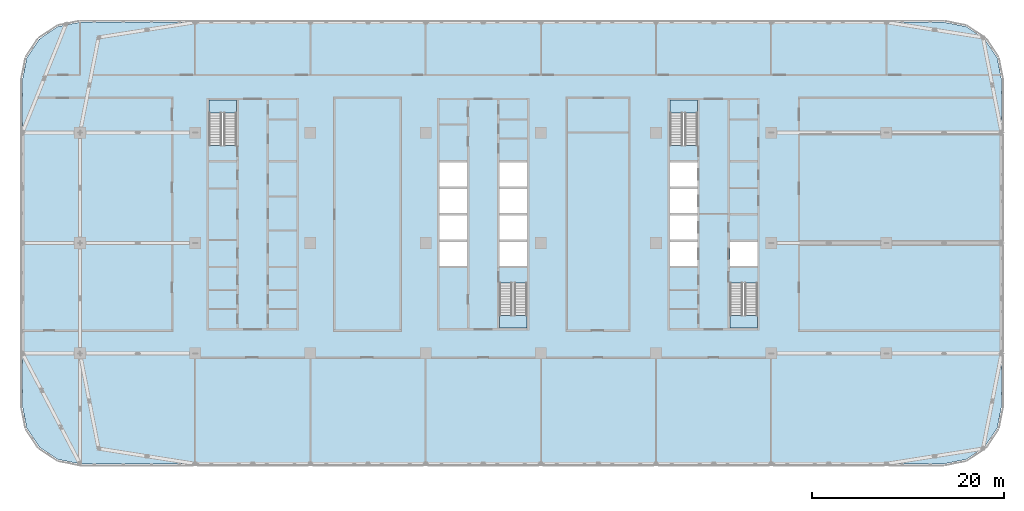
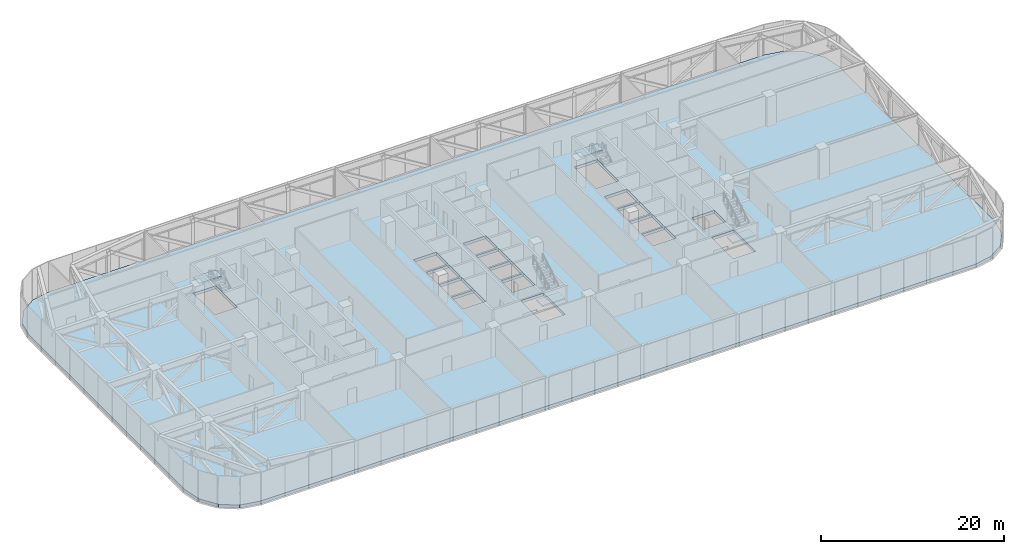
# One storey, part 8 of 26: 5 slabs, 4 elements without a shape of their own.
"""IFC4 building model written with IfcOpenShell, lengths in metres."""

from ifc_helpers import new_model, si_unit, direction, frame, origin, place, context, subcontext, project, spatial, polyline, outline, extrude, material, layer, layer_set, type_object, element, aggregate, save


model = new_model("IFC4")

# Units and contexts
model_context = context("Model", 3, precision=1e-05, world=origin(), true_north=direction((0.0, 1.0)))
body_context = subcontext(model_context, "Body", "Model", "MODEL_VIEW")
ifc_project = project(units=[si_unit("LENGTHUNIT", "METRE"), si_unit("AREAUNIT", "SQUARE_METRE"), si_unit("VOLUMEUNIT", "CUBIC_METRE"), si_unit("PLANEANGLEUNIT", "RADIAN"), si_unit("MASSUNIT", "GRAM", prefix="KILO")], contexts=[model_context])

# Site, building, storey
site_placement = place(None, origin())
site = spatial("IfcSite", under=ifc_project, at=site_placement, CompositionType="ELEMENT")
building_placement = place(site_placement, origin())
building = spatial("IfcBuilding", under=site, at=building_placement, Name="Mahtab Terrace Research Tower", CompositionType="ELEMENT")
storey_placement = place(building_placement, frame((0.0, 0.0, 189.60009765625)))
storey = spatial("IfcBuildingStorey", under=building, at=storey_placement, Name="L45", CompositionType="ELEMENT", Elevation=189.60009765625)

# Stair, slab
ifc_material_1 = material(Name="Exit stair half-turn")
stair_type = type_object("IfcStairType", Name="Exit stair half-turn", PredefinedType="HALF_TURN_STAIR", material=ifc_material_1)
stair_1_placement = place(storey_placement, origin())
stair_1 = element("IfcStair", 1, at=stair_1_placement, inside=storey, type_object=stair_type, Name="L45 Protected exit stair ST1", PredefinedType="HALF_TURN_STAIR")
ifc_material_2 = material(Name="Concrete C40/50", Category="concrete")
ifc_layer_1 = layer(ifc_material_2, 0.199951171875)
ifc_layer_set_1 = layer_set([ifc_layer_1], Name="Exit stair landing 200")
slab_type_1 = type_object("IfcSlabType", Name="Exit stair landing 200", PredefinedType="LANDING", material=ifc_layer_set_1)
slab_1_placement = place(storey_placement, frame((0.0, 0.0, 1.949951171875)))
slab_1 = element("IfcSlab", 2, at=slab_1_placement, type_object=slab_type_1, Name="ST1 landing 1", PredefinedType="LANDING", context=body_context, shape_type="SweptSolid", body=[
    extrude(outline(polyline([(-25.699951171875, 13.534912109375), (-25.699951171875, 14.875), (-28.550048828125, 14.875), (-28.550048828125, 13.534912109375), (-25.699951171875, 13.534912109375)])), origin(), (0.0, 0.0, 1.0), 0.199951171875),
])
aggregate(stair_1, [slab_1])

stair_2_placement = place(storey_placement, origin())
stair_2 = element("IfcStair", 3, at=stair_2_placement, inside=storey, type_object=stair_type, Name="L45 Protected exit stair ST2", PredefinedType="HALF_TURN_STAIR")
slab_2_placement = place(storey_placement, frame((0.0, 0.0, 1.949951171875)))
slab_2 = element("IfcSlab", 4, at=slab_2_placement, type_object=slab_type_1, Name="ST2 landing 1", PredefinedType="LANDING", context=body_context, shape_type="SweptSolid", body=[
    extrude(outline(polyline([(1.699951171875, -7.534912109375), (1.699951171875, -8.875), (4.550048828125, -8.875), (4.550048828125, -7.534912109375), (1.699951171875, -7.534912109375)])), origin(), (0.0, 0.0, 1.0), 0.199951171875),
])
aggregate(stair_2, [slab_2])

stair_3_placement = place(storey_placement, origin())
stair_3 = element("IfcStair", 5, at=stair_3_placement, inside=storey, type_object=stair_type, Name="L45 Protected exit stair ST3", PredefinedType="HALF_TURN_STAIR")
slab_3_placement = place(storey_placement, frame((0.0, 0.0, 1.949951171875)))
slab_3 = element("IfcSlab", 6, at=slab_3_placement, type_object=slab_type_1, Name="ST3 landing 1", PredefinedType="LANDING", context=body_context, shape_type="SweptSolid", body=[
    extrude(outline(polyline([(22.300048828125, 13.534912109375), (22.300048828125, 14.875), (19.449951171875, 14.875), (19.449951171875, 13.534912109375), (22.300048828125, 13.534912109375)])), origin(), (0.0, 0.0, 1.0), 0.199951171875),
])
aggregate(stair_3, [slab_3])

stair_4_placement = place(storey_placement, origin())
stair_4 = element("IfcStair", 7, at=stair_4_placement, inside=storey, type_object=stair_type, Name="L45 Protected exit stair ST4", PredefinedType="HALF_TURN_STAIR")
slab_4_placement = place(storey_placement, frame((0.0, 0.0, 1.949951171875)))
slab_4 = element("IfcSlab", 8, at=slab_4_placement, type_object=slab_type_1, Name="ST4 landing 1", PredefinedType="LANDING", context=body_context, shape_type="SweptSolid", body=[
    extrude(outline(polyline([(25.699951171875, -7.534912109375), (25.699951171875, -8.875), (28.550048828125, -8.875), (28.550048828125, -7.534912109375), (25.699951171875, -7.534912109375)])), origin(), (0.0, 0.0, 1.0), 0.199951171875),
])
aggregate(stair_4, [slab_4])

# Slab
ifc_layer_2 = layer(ifc_material_2, 0.39990234375)
ifc_layer_set_2 = layer_set([ifc_layer_2], Name="PT transfer slab 400")
slab_type_2 = type_object("IfcSlabType", Name="PT transfer slab 400", PredefinedType="FLOOR", material=ifc_layer_set_2)
slab_5_placement = place(storey_placement, frame((0.0, 0.0, -0.400146484375)))
element("IfcSlab", 9, at=slab_5_placement, inside=storey, type_object=slab_type_2, Name="Floor slab L45", PredefinedType="FLOOR", context=body_context, shape_type="SweptSolid", body=[
    extrude(outline(polyline([(42.0, -23.0), (48.0, -23.0), (50.2958984375, -22.54296875), (52.242919921875, -21.242919921875), (53.54296875, -19.2958984375), (54.0, -17.0), (54.0, 17.0), (53.54296875, 19.2958984375), (52.242919921875, 21.242919921875), (50.2958984375, 22.54296875), (48.0, 23.0), (42.0, 23.0), (-36.0, 23.0), (-42.0, 23.0), (-44.2958984375, 22.54296875), (-46.242919921875, 21.242919921875), (-47.54296875, 19.2958984375), (-48.0, 17.0), (-48.0, -17.0), (-47.54296875, -19.2958984375), (-46.242919921875, -21.242919921875), (-44.2958984375, -22.54296875), (-42.0, -23.0), (-36.0, -23.0), (42.0, -23.0)]), holes=[polyline([(-4.550048828125, -2.375), (-4.550048828125, 0.125), (-1.699951171875, 0.125), (-1.699951171875, -2.375), (-4.550048828125, -2.375)]), polyline([(1.699951171875, -2.375), (1.699951171875, 0.125), (4.550048828125, 0.125), (4.550048828125, -2.375), (1.699951171875, -2.375)]), polyline([(-4.550048828125, 0.375), (-4.550048828125, 2.875), (-1.699951171875, 2.875), (-1.699951171875, 0.375), (-4.550048828125, 0.375)]), polyline([(1.699951171875, 0.375), (1.699951171875, 2.875), (4.550048828125, 2.875), (4.550048828125, 0.375), (1.699951171875, 0.375)]), polyline([(-4.550048828125, 3.125), (-4.550048828125, 5.625), (-1.699951171875, 5.625), (-1.699951171875, 3.125), (-4.550048828125, 3.125)]), polyline([(1.699951171875, 3.125), (1.699951171875, 5.625), (4.550048828125, 5.625), (4.550048828125, 3.125), (1.699951171875, 3.125)]), polyline([(-4.550048828125, 5.875), (-4.550048828125, 8.375), (-1.699951171875, 8.375), (-1.699951171875, 5.875), (-4.550048828125, 5.875)]), polyline([(1.699951171875, 5.875), (1.699951171875, 8.375), (4.550048828125, 8.375), (4.550048828125, 5.875), (1.699951171875, 5.875)]), polyline([(-28.550048828125, 10.177001953125), (-28.550048828125, 14.875), (-25.699951171875, 14.875), (-25.699951171875, 10.177001953125), (-28.550048828125, 10.177001953125)]), polyline([(1.699951171875, -8.875), (1.699951171875, -4.177001953125), (4.550048828125, -4.177001953125), (4.550048828125, -8.875), (1.699951171875, -8.875)]), polyline([(25.699951171875, -8.875), (25.699951171875, -4.177001953125), (28.550048828125, -4.177001953125), (28.550048828125, -8.875), (25.699951171875, -8.875)]), polyline([(19.449951171875, -2.375), (19.449951171875, 0.125), (22.300048828125, 0.125), (22.300048828125, -2.375), (19.449951171875, -2.375)]), polyline([(25.699951171875, -2.375), (25.699951171875, 0.125), (28.550048828125, 0.125), (28.550048828125, -2.375), (25.699951171875, -2.375)]), polyline([(19.449951171875, 0.375), (19.449951171875, 2.875), (22.300048828125, 2.875), (22.300048828125, 0.375), (19.449951171875, 0.375)]), polyline([(19.449951171875, 3.125), (19.449951171875, 5.625), (22.300048828125, 5.625), (22.300048828125, 3.125), (19.449951171875, 3.125)]), polyline([(19.449951171875, 8.375), (22.300048828125, 8.375), (22.300048828125, 5.875), (19.449951171875, 5.875), (19.449951171875, 8.375)]), polyline([(19.449951171875, 14.875), (22.300048828125, 14.875), (22.300048828125, 10.177001953125), (19.449951171875, 10.177001953125), (19.449951171875, 14.875)])]), origin(), (0.0, 0.0, 1.0), 0.400146484375),
])

save(model, "model.ifc")
